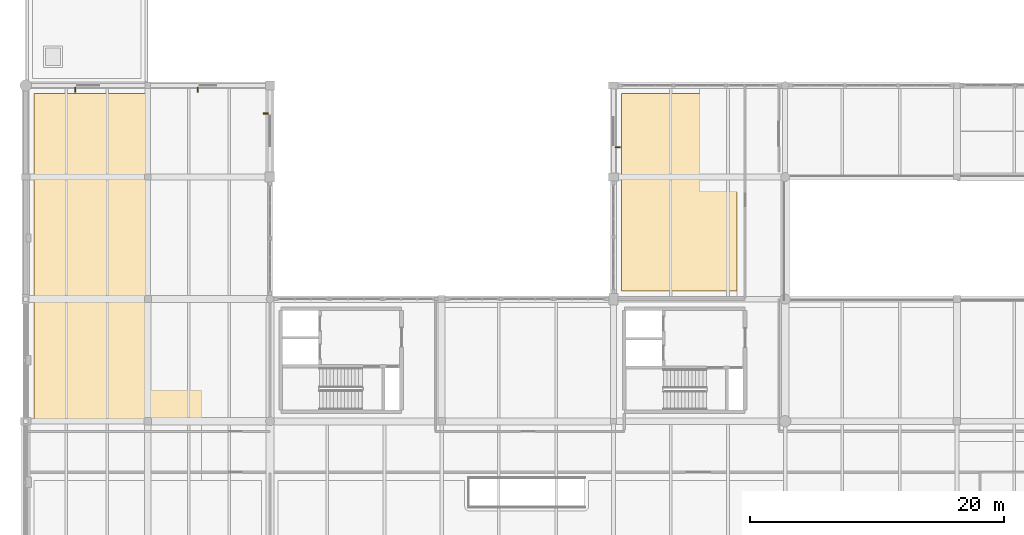
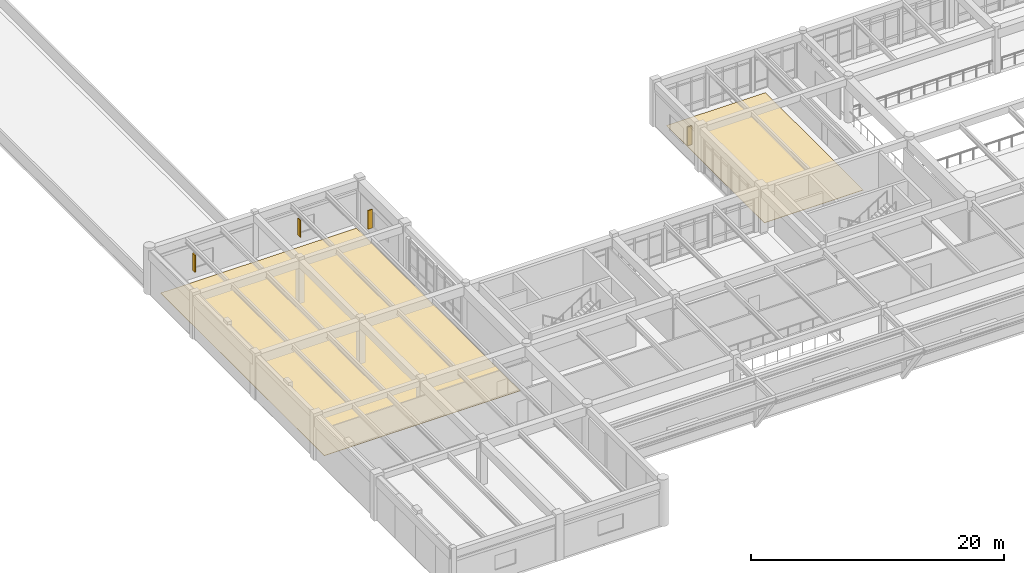
# One storey, part 102 of 109: 4 shading devices, 2 coverings.
"""IFC4 building model written with IfcOpenShell, lengths in metres."""

from ifc_helpers import new_model, si_unit, direction, frame, origin, origin_2d, place, context, subcontext, project, spatial, polyline, rectangle, outline, extrude, material, layer, layer_set, type_object, element, save


model = new_model("IFC4")

# Units and contexts
model_context = context("Model", 3, precision=1e-05, world=origin(), true_north=direction((0.0, 1.0)))
body_context = subcontext(model_context, "Body", "Model", "MODEL_VIEW")
ifc_project = project(units=[si_unit("LENGTHUNIT", "METRE"), si_unit("AREAUNIT", "SQUARE_METRE"), si_unit("VOLUMEUNIT", "CUBIC_METRE"), si_unit("PLANEANGLEUNIT", "RADIAN"), si_unit("MASSUNIT", "GRAM", prefix="KILO")], contexts=[model_context])

# Site, building, storey
site_placement = place(None, origin())
site = spatial("IfcSite", under=ifc_project, at=site_placement, CompositionType="ELEMENT")
building_placement = place(site_placement, origin())
building = spatial("IfcBuilding", under=site, at=building_placement, Name="Fikremerkos Civic Library", CompositionType="ELEMENT")
storey_placement = place(building_placement, frame((0.0, 0.0, 5.39990234375)))
storey = spatial("IfcBuildingStorey", under=building, at=storey_placement, Name="L01", CompositionType="ELEMENT", Elevation=5.39990234375)

# Shading devices
ifc_material_1 = material(Name="Bronze anodized aluminium", Category="aluminium")
shading_device_type = type_object("IfcShadingDeviceType", Name="Perforated bronze vertical solar fin SHD-02", PredefinedType="USERDEFINED", material=ifc_material_1)
for number, where, z_axis, x_axis, name in (
    (1, (3.882568359375, 47.64990234375, 0.8251953125), (0.0, 0.0, 1.0), (1.0, 0.0, 0.0), "Vertical bronze solar fin SHD-02 L01 #15"),
    (2, (13.507568359375, 47.659912109375, 0.8251953125), (0.0, 0.0, 1.0), (1.0, 0.0, 0.0), "Vertical bronze solar fin SHD-02 L01 #16"),
):
    element("IfcShadingDevice", number, at=place(storey_placement, frame(where, z_axis=z_axis, x_axis=x_axis)), inside=storey, type_object=shading_device_type, Name=name, ObjectType="SOLAR FIN", PredefinedType="USERDEFINED", context=body_context, shape_type="SweptSolid", body=[
        extrude(rectangle(XDim=0.080078125, YDim=0.39990234375, at=origin_2d()), origin(), (0.0, 0.0, 1.0), 1.64990234375),
    ])
for number, where, z_axis, x_axis, name in (
    (3, (18.875, 45.79248046875, 0.8251953125), (0.0, 0.0, 1.0), (0.0, 1.0, 0.0), "Vertical bronze solar fin SHD-02 L01 #17"),
    (4, (46.52490234375, 43.132568359375, 0.8251953125), (0.0, 0.0, 1.0), (0.0, 1.0, 0.0), "Vertical bronze solar fin SHD-02 L01 #18"),
):
    element("IfcShadingDevice", number, at=place(storey_placement, frame(where, z_axis=z_axis, x_axis=x_axis)), inside=storey, type_object=shading_device_type, Name=name, ObjectType="SOLAR FIN", PredefinedType="USERDEFINED", context=body_context, shape_type="SweptSolid", body=[
        extrude(rectangle(XDim=0.080078125, YDim=0.39990234375, at=origin_2d()), origin(), (0.0, 0.0, 1.0), 1.800048828125),
    ])

# Coverings
ifc_material_2 = material(Name="Polished basalt terrazzo", Category="masonry")
ifc_layer = layer(ifc_material_2, 0.030029296875, Name="Polished basalt terrazzo")
ifc_layer_set = layer_set([ifc_layer], Name="Polished basalt terrazzo")
covering_type = type_object("IfcCoveringType", Name="Polished basalt terrazzo flooring FLR-01", PredefinedType="FLOORING", material=ifc_layer_set)
covering_1_placement = place(storey_placement, origin())
element("IfcCovering", 5, at=covering_1_placement, inside=storey, type_object=covering_type, Name="Terrazzo floor finish Periodicals Backfile Open Stacks", PredefinedType="FLOORING", context=body_context, shape_type="SweptSolid", body=[
    extrude(outline(polyline([(18.550048828125, 47.35009765625), (18.550048828125, 21.449951171875), (0.64990234375, 21.449951171875), (0.64990234375, 47.35009765625), (18.550048828125, 47.35009765625)])), origin(), (0.0, 0.0, 1.0), 0.030029296875),
])
covering_2_placement = place(storey_placement, origin())
element("IfcCovering", 6, at=covering_2_placement, inside=storey, type_object=covering_type, Name="Terrazzo floor finish Seminar Room 1", PredefinedType="FLOORING", context=body_context, shape_type="SweptSolid", body=[
    extrude(outline(polyline([(55.89990234375, 47.35009765625), (55.89990234375, 31.85009765625), (46.85009765625, 31.85009765625), (46.85009765625, 47.35009765625), (55.89990234375, 47.35009765625)])), origin(), (0.0, 0.0, 1.0), 0.030029296875),
])

save(model, "model.ifc")
